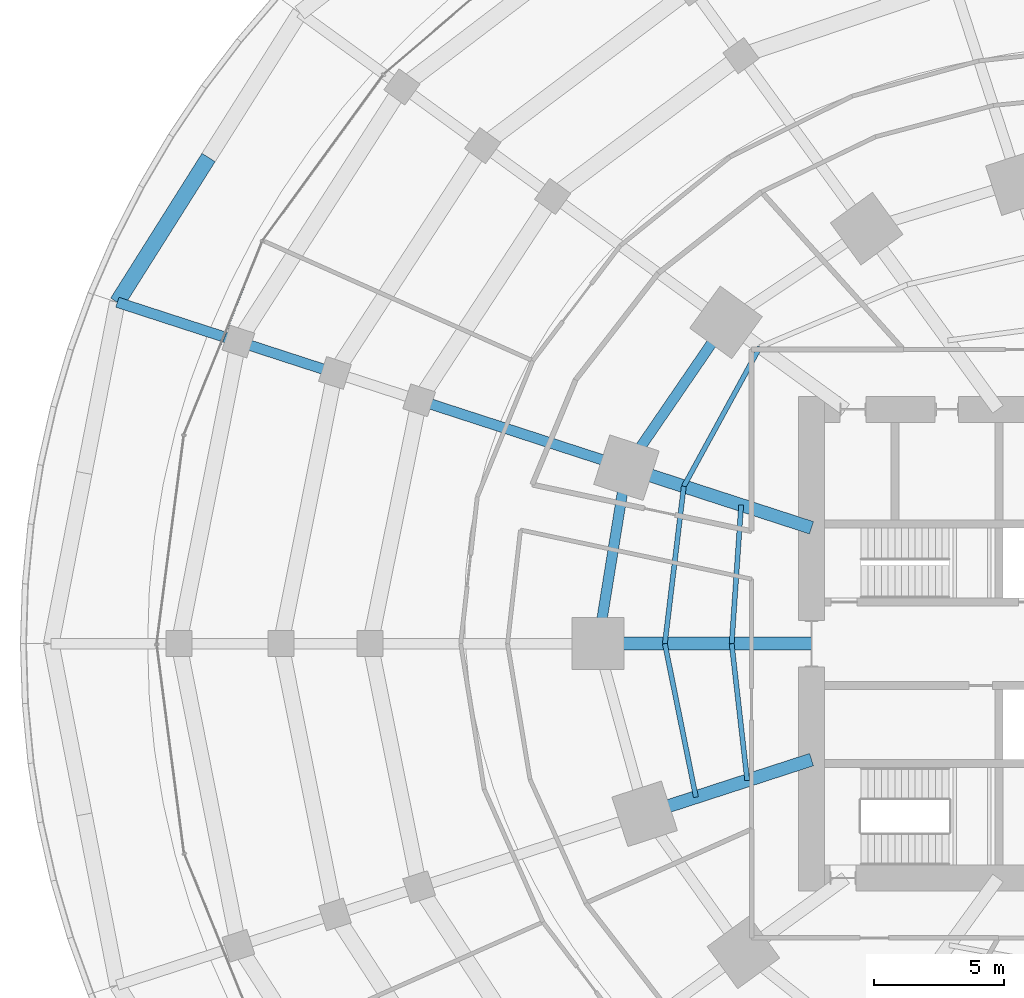
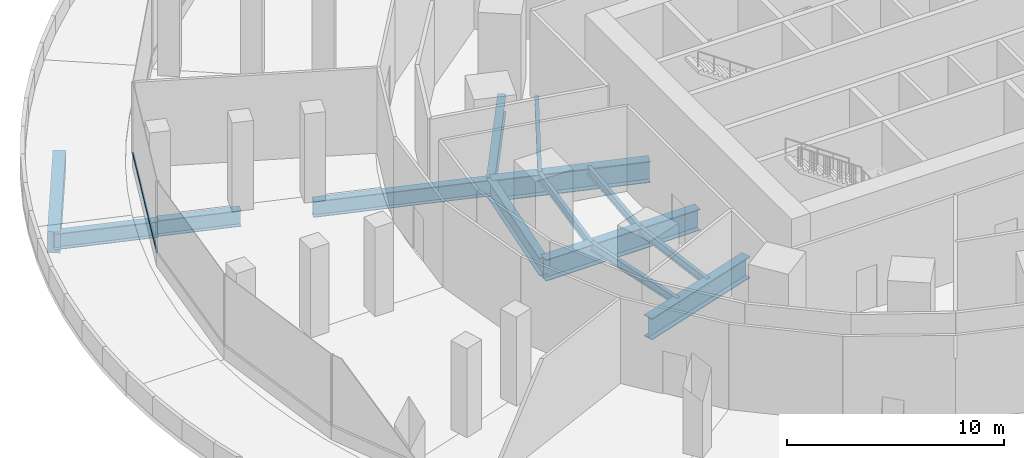
# One storey, part 9 of 31: 14 beams, 1 member, 1 element without a shape of its own.
"""IFC4 building model written with IfcOpenShell, lengths in metres."""

from ifc_helpers import new_model, si_unit, direction, frame, origin, origin_2d, place, context, subcontext, project, spatial, rectangle, i_section, extrude, material, material_profile, profile_set, type_object, element, aggregate, save


model = new_model("IFC4")

# Units and contexts
model_context = context("Model", 3, precision=1e-05, world=origin(), true_north=direction((0.0, 1.0)))
body_context = subcontext(model_context, "Body", "Model", "MODEL_VIEW")
ifc_project = project(units=[si_unit("LENGTHUNIT", "METRE"), si_unit("AREAUNIT", "SQUARE_METRE"), si_unit("VOLUMEUNIT", "CUBIC_METRE"), si_unit("PLANEANGLEUNIT", "RADIAN"), si_unit("MASSUNIT", "GRAM", prefix="KILO")], contexts=[model_context])

# Site, building, storey
site_placement = place(None, origin())
site = spatial("IfcSite", under=ifc_project, at=site_placement, CompositionType="ELEMENT")
building_placement = place(site_placement, origin())
building = spatial("IfcBuilding", under=site, at=building_placement, Name="Marramba Exchange Tower", CompositionType="ELEMENT")
storey_placement = place(building_placement, frame((0.0, 0.0, 5.60009765625)))
storey = spatial("IfcBuildingStorey", under=building, at=storey_placement, Name="L01", CompositionType="ELEMENT", Elevation=5.60009765625)

# Beams
ifc_material_1 = material(Name="Concrete N50", Category="concrete")
ifc_material_profile_1 = material_profile(ifc_material_1, rectangle(XDim=0.60009765625, YDim=1.199951171875, at=origin_2d()), Name="RC 600x1200")
ifc_profile_set_1 = profile_set([ifc_material_profile_1], Name="Concrete N50")
beam_type_1 = type_object("IfcBeamType", Name="Edge beam RC 600x1200 N50", PredefinedType="SPANDREL", material=ifc_profile_set_1)
beam_1_placement = place(storey_placement, frame((-36.857666015625, 18.67333984375, -0.85009765625), z_axis=(-0.533440772983, -0.845837420383, 0.0), x_axis=(0.845837420383, -0.533440772983, 0.0)))
element("IfcBeam", 1, at=beam_1_placement, inside=storey, type_object=beam_type_1, Name="Edge beam L01 P0C09 half 2", PredefinedType="SPANDREL", context=body_context, shape_type="SweptSolid", body=[
    extrude(rectangle(XDim=0.60009765625, YDim=1.199951171875, at=origin_2d()), origin(), (0.0, 0.0, 1.0), 6.57177734375),
])
ifc_material_2 = material(Name="Steel AS/NZS 3679.1 grade 300", Category="steel")
ifc_material_profile_2 = material_profile(ifc_material_2, i_section(OverallWidth=0.18994140625, OverallDepth=0.4541015625, WebThickness=0.008544921875, FlangeThickness=0.0126953125, FilletRadius=0.011474609375, at=origin_2d()), Name="460UB67.1")
ifc_profile_set_2 = profile_set([ifc_material_profile_2], Name="Steel AS/NZS 3679.1 grade 300")
beam_type_2 = type_object("IfcBeamType", Name="Floor joist 460UB67.1", PredefinedType="JOIST", material=ifc_profile_set_2)
beam_2_placement = place(storey_placement, frame((-15.682373046875, 11.393798828125, -0.427001953125), z_axis=(-0.479584443791, -0.877495732909, 0.0), x_axis=(0.877495732909, -0.479584443791, 0.0)))
element("IfcBeam", 2, at=beam_2_placement, inside=storey, type_object=beam_type_2, Name="Joist L01 bay 09 row 2", PredefinedType="JOIST", context=body_context, shape_type="SweptSolid", body=[
    extrude(i_section(OverallWidth=0.18994140625, OverallDepth=0.4541015625, WebThickness=0.008544921875, FlangeThickness=0.0126953125, FilletRadius=0.011474609375, at=origin_2d()), origin(), (0.0, 0.0, 1.0), 6.094970703125),
])
beam_3_placement = place(storey_placement, frame((-16.40283203125, 5.32958984375, -0.427001953125), z_axis=(-0.068096259546, -0.99767875563, 0.0), x_axis=(0.99767875563, -0.068096259546, 0.0)))
element("IfcBeam", 3, at=beam_3_placement, inside=storey, type_object=beam_type_2, Name="Joist L01 bay 10 row 1", PredefinedType="JOIST", context=body_context, shape_type="SweptSolid", body=[
    extrude(i_section(OverallWidth=0.18994140625, OverallDepth=0.4541015625, WebThickness=0.008544921875, FlangeThickness=0.0126953125, FilletRadius=0.011474609375, at=origin_2d()), origin(), (0.0, 0.0, 1.0), 5.342041015625),
])
beam_4_placement = place(storey_placement, frame((-18.60546875, 6.04541015625, -0.427001953125), z_axis=(-0.119523078538, -0.992831422597, 0.0), x_axis=(0.992831422597, -0.119523078538, 0.0)))
element("IfcBeam", 4, at=beam_4_placement, inside=storey, type_object=beam_type_2, Name="Joist L01 bay 10 row 2", PredefinedType="JOIST", context=body_context, shape_type="SweptSolid", body=[
    extrude(i_section(OverallWidth=0.18994140625, OverallDepth=0.4541015625, WebThickness=0.008544921875, FlangeThickness=0.0126953125, FilletRadius=0.011474609375, at=origin_2d()), origin(), (0.0, 0.0, 1.0), 6.089111328125),
])
beam_5_placement = place(storey_placement, frame((-16.7666015625, 0.0, -0.427001953125), z_axis=(0.112888968594, -0.993607609054, 0.0), x_axis=(0.993607609054, 0.112888968594, 0.0)))
element("IfcBeam", 5, at=beam_5_placement, inside=storey, type_object=beam_type_2, Name="Joist L01 bay 11 row 1", PredefinedType="JOIST", context=body_context, shape_type="SweptSolid", body=[
    extrude(i_section(OverallWidth=0.18994140625, OverallDepth=0.4541015625, WebThickness=0.008544921875, FlangeThickness=0.0126953125, FilletRadius=0.011474609375, at=origin_2d()), origin(), (0.0, 0.0, 1.0), 5.28759765625),
])
beam_6_placement = place(storey_placement, frame((-19.333251953125, 0.0, -0.427001953125), z_axis=(0.198489047047, -0.980103105904, 0.0), x_axis=(0.980103105904, 0.198489047047, 0.0)))
element("IfcBeam", 6, at=beam_6_placement, inside=storey, type_object=beam_type_2, Name="Joist L01 bay 11 row 2", PredefinedType="JOIST", context=body_context, shape_type="SweptSolid", body=[
    extrude(i_section(OverallWidth=0.18994140625, OverallDepth=0.4541015625, WebThickness=0.008544921875, FlangeThickness=0.0126953125, FilletRadius=0.011474609375, at=origin_2d()), origin(), (0.0, 0.0, 1.0), 6.013427734375),
])

# Curtain wall, member
ifc_material_3 = material(Name="Aluminium framing, bronze anodised", Category="aluminium")
curtain_wall_type = type_object("IfcCurtainWallType", Name="Podium ribbon curtain wall", PredefinedType="USERDEFINED", material=ifc_material_3)
curtain_wall_placement = place(storey_placement, origin())
curtain_wall = element("IfcCurtainWall", 7, at=curtain_wall_placement, inside=storey, type_object=curtain_wall_type, Name="Curtain wall CW2 L01 F11-F15", ObjectType="RIBBON CURTAIN WALL", PredefinedType="USERDEFINED")
ifc_material_4 = material(Name="Aluminium transom, bronze anodised", Category="aluminium")
ifc_material_profile_3 = material_profile(ifc_material_4, rectangle(XDim=0.06005859375, YDim=0.1201171875, at=origin_2d()), Name="CW2 transom 60x120")
ifc_profile_set_3 = profile_set([ifc_material_profile_3], Name="Aluminium transom, bronze anodised")
member_type = type_object("IfcMemberType", Name="Podium ribbon curtain wall transom", PredefinedType="USERDEFINED", material=ifc_profile_set_3)
member_placement = place(storey_placement, frame((-34.8037109375, 15.429931640625, 0.829833984375), z_axis=(-0.375633376645, -0.92676834557, 0.0), x_axis=(0.92676834557, -0.375633376645, 0.0)))
member = element("IfcMember", 8, at=member_placement, type_object=member_type, Name="CW2 sill transom", ObjectType="TRANSOM", PredefinedType="USERDEFINED", context=body_context, shape_type="SweptSolid", body=[
    extrude(rectangle(XDim=0.06005859375, YDim=0.1201171875, at=origin_2d()), origin(), (0.0, 0.0, 1.0), 7.979248046875),
])
aggregate(curtain_wall, [member])

# Beams
ifc_material_5 = material(Name="Steel AS/NZS 3679.2 grade 300", Category="steel")
ifc_material_profile_4 = material_profile(ifc_material_5, i_section(OverallWidth=0.5, OverallDepth=1.199951171875, WebThickness=0.01611328125, FlangeThickness=0.0400390625, at=origin_2d()), Name="1200WB455")
ifc_profile_set_4 = profile_set([ifc_material_profile_4], Name="Steel AS/NZS 3679.2 grade 300")
beam_type_3 = type_object("IfcBeamType", Name="Radial girder 1200WB455", PredefinedType="BEAM", material=ifc_profile_set_4)
beam_7_placement = place(storey_placement, frame((-13.699951171875, 4.451416015625, -0.800048828125), z_axis=(-0.951059990189, 0.309006302624, 0.0), x_axis=(-0.309006302624, -0.951059990189, 0.0)))
element("IfcBeam", 9, at=beam_7_placement, inside=storey, type_object=beam_type_3, Name="Radial girder L01 TC10", PredefinedType="BEAM", context=body_context, shape_type="SweptSolid", body=[
    extrude(i_section(OverallWidth=0.5, OverallDepth=1.199951171875, WebThickness=0.01611328125, FlangeThickness=0.0400390625, at=origin_2d()), origin(), (0.0, 0.0, 1.0), 7.47412109375),
])
beam_8_placement = place(storey_placement, frame((-13.699951171875, 0.0, -0.800048828125), z_axis=(-1.0, 0.0, 0.0), x_axis=(0.0, -1.0, 0.0)))
element("IfcBeam", 10, at=beam_8_placement, inside=storey, type_object=beam_type_3, Name="Radial girder L01 TC11", PredefinedType="BEAM", context=body_context, shape_type="SweptSolid", body=[
    extrude(i_section(OverallWidth=0.5, OverallDepth=1.199951171875, WebThickness=0.01611328125, FlangeThickness=0.0400390625, at=origin_2d()), origin(), (0.0, 0.0, 1.0), 8.199951171875),
])
beam_9_placement = place(storey_placement, frame((-13.699951171875, -4.451416015625, -0.800048828125), z_axis=(-0.951057759669, -0.309013167637, 0.0), x_axis=(0.309013167637, -0.951057759669, 0.0)))
element("IfcBeam", 11, at=beam_9_placement, inside=storey, type_object=beam_type_3, Name="Radial girder L01 TC12", PredefinedType="BEAM", context=body_context, shape_type="SweptSolid", body=[
    extrude(i_section(OverallWidth=0.5, OverallDepth=1.199951171875, WebThickness=0.01611328125, FlangeThickness=0.0400390625, at=origin_2d()), origin(), (0.0, 0.0, 1.0), 6.7392578125),
])
ifc_material_profile_5 = material_profile(ifc_material_5, i_section(OverallWidth=0.39990234375, OverallDepth=0.89990234375, WebThickness=0.01611328125, FlangeThickness=0.031982421875, at=origin_2d()), Name="900WB282")
ifc_profile_set_5 = profile_set([ifc_material_profile_5], Name="Steel AS/NZS 3679.2 grade 300")
beam_type_4 = type_object("IfcBeamType", Name="Radial girder 900WB282", PredefinedType="BEAM", material=ifc_profile_set_5)
beam_10_placement = place(storey_placement, frame((-40.36328125, 13.11474609375, -0.7001953125), z_axis=(0.951057178465, -0.309014956417, 0.0), x_axis=(0.309014956417, 0.951057178465, 0.0)))
element("IfcBeam", 12, at=beam_10_placement, inside=storey, type_object=beam_type_4, Name="Radial girder L01 P0C10", PredefinedType="BEAM", context=body_context, shape_type="SweptSolid", body=[
    extrude(i_section(OverallWidth=0.39990234375, OverallDepth=0.89990234375, WebThickness=0.01611328125, FlangeThickness=0.031982421875, at=origin_2d()), origin(), (0.0, 0.0, 1.0), 4.890380859375),
])
beam_11_placement = place(storey_placement, frame((-35.712158203125, 11.603515625, -0.650146484375), z_axis=(0.95106720483, -0.308984096511, 0.0), x_axis=(0.308984096511, 0.95106720483, 0.0)))
element("IfcBeam", 13, at=beam_11_placement, inside=storey, type_object=beam_type_4, Name="Radial girder L01 P1C10", PredefinedType="BEAM", context=body_context, shape_type="SweptSolid", body=[
    extrude(i_section(OverallWidth=0.39990234375, OverallDepth=0.89990234375, WebThickness=0.01611328125, FlangeThickness=0.031982421875, at=origin_2d()), origin(), (0.0, 0.0, 1.0), 3.897705078125),
])
beam_12_placement = place(storey_placement, frame((-28.770263671875, 9.34814453125, -0.650146484375), z_axis=(0.951050354939, -0.309035956436, 0.0), x_axis=(0.309035956436, 0.951050354939, 0.0)))
element("IfcBeam", 14, at=beam_12_placement, inside=storey, type_object=beam_type_4, Name="Radial girder L01 P3C10", PredefinedType="BEAM", context=body_context, shape_type="SweptSolid", body=[
    extrude(i_section(OverallWidth=0.39990234375, OverallDepth=0.89990234375, WebThickness=0.01611328125, FlangeThickness=0.031982421875, at=origin_2d()), origin(), (0.0, 0.0, 1.0), 8.371826171875),
])
ifc_material_profile_6 = material_profile(ifc_material_5, i_section(OverallWidth=0.39990234375, OverallDepth=1.0, WebThickness=0.01611328125, FlangeThickness=0.031982421875, at=origin_2d()), Name="1000WB322")
ifc_profile_set_6 = profile_set([ifc_material_profile_6], Name="Steel AS/NZS 3679.2 grade 300")
beam_type_5 = type_object("IfcBeamType", Name="Ring beam 1000WB322", PredefinedType="SPANDREL", material=ifc_profile_set_6)
beam_13_placement = place(storey_placement, frame((-16.98583984375, 12.3408203125, -0.7001953125), z_axis=(-0.56516002054, -0.824981303535, 0.0), x_axis=(0.824981303535, -0.56516002054, 0.0)))
element("IfcBeam", 15, at=beam_13_placement, inside=storey, type_object=beam_type_5, Name="Ring beam L01 TC09-TC10", PredefinedType="SPANDREL", context=body_context, shape_type="SweptSolid", body=[
    extrude(i_section(OverallWidth=0.39990234375, OverallDepth=1.0, WebThickness=0.01611328125, FlangeThickness=0.031982421875, at=origin_2d()), origin(), (0.0, 0.0, 1.0), 6.763671875),
])
beam_14_placement = place(storey_placement, frame((-20.808349609375, 6.760986328125, -0.7001953125), z_axis=(-0.159384865399, -0.987216523708, 0.0), x_axis=(0.987216523708, -0.159384865399, 0.0)))
element("IfcBeam", 16, at=beam_14_placement, inside=storey, type_object=beam_type_5, Name="Ring beam L01 TC10-TC11", PredefinedType="SPANDREL", context=body_context, shape_type="SweptSolid", body=[
    extrude(i_section(OverallWidth=0.39990234375, OverallDepth=1.0, WebThickness=0.01611328125, FlangeThickness=0.031982421875, at=origin_2d()), origin(), (0.0, 0.0, 1.0), 6.8486328125),
])

save(model, "model.ifc")
